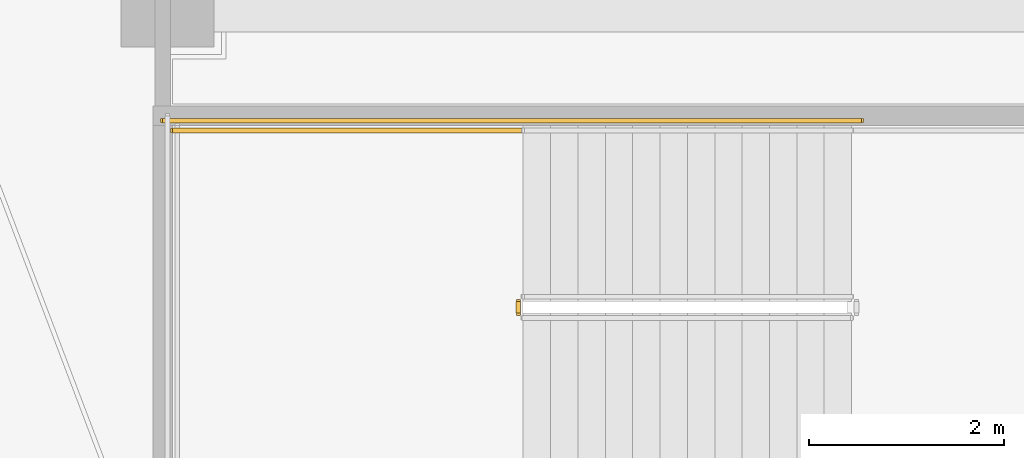
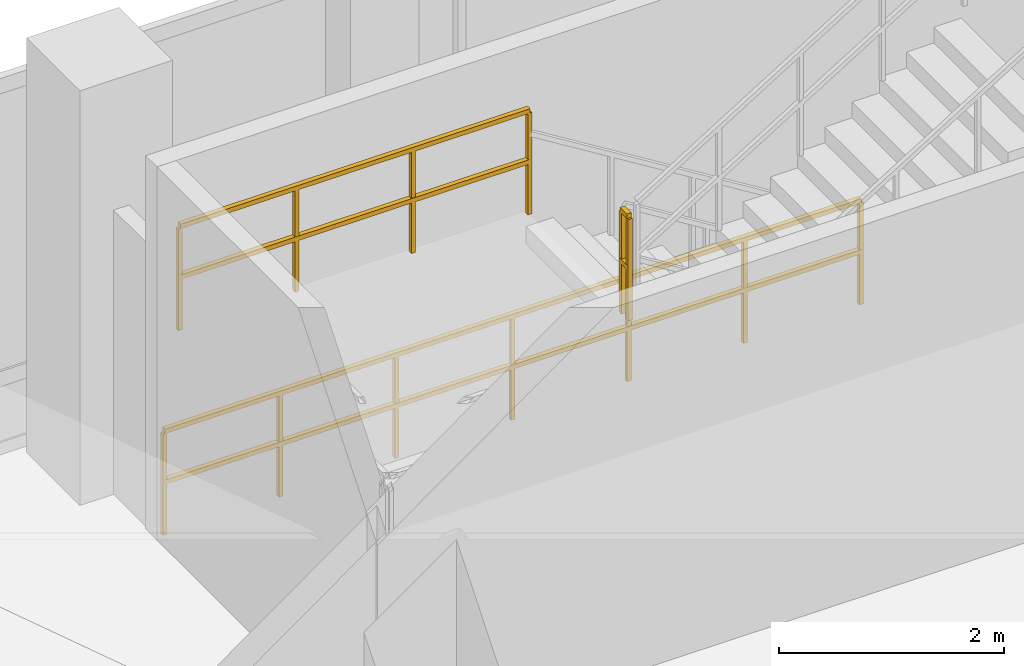
# One storey, part 33 of 36: 3 railings.
"""IFC4 building model written with IfcOpenShell, lengths in metres."""

from ifc_helpers import new_model, si_unit, direction, frame, origin, origin_2d, place, context, subcontext, project, spatial, rectangle, extrude, material, type_object, element, save


model = new_model("IFC4")

# Units and contexts
model_context = context("Model", 3, precision=1e-05, world=origin(), true_north=direction((-0.2419218956, 0.970295726276)))
body_context = subcontext(model_context, "Body", "Model", "MODEL_VIEW")
ifc_project = project(units=[si_unit("LENGTHUNIT", "METRE"), si_unit("AREAUNIT", "SQUARE_METRE"), si_unit("VOLUMEUNIT", "CUBIC_METRE"), si_unit("PLANEANGLEUNIT", "RADIAN"), si_unit("MASSUNIT", "GRAM", prefix="KILO")], contexts=[model_context])

# Site, building, storey
site_placement = place(None, origin())
site = spatial("IfcSite", under=ifc_project, at=site_placement, CompositionType="ELEMENT")
building_placement = place(site_placement, origin())
building = spatial("IfcBuilding", under=site, at=building_placement, Name="Cobrevalo Terracotta Tower", CompositionType="ELEMENT")
storey_placement = place(building_placement, frame((0.0, 0.0, 14.39990234375)))
storey = spatial("IfcBuildingStorey", under=building, at=storey_placement, Name="L03", CompositionType="ELEMENT", Elevation=14.39990234375)

# Railings
ifc_material = material(Name="Painted galvanized steel", Category="steel")
railing_type = type_object("IfcRailingType", Name="Stair Well Guard Balustrade 1150", PredefinedType="GUARDRAIL", material=ifc_material)
railing_1_placement = place(storey_placement, frame((61.090087890625, 47.719970703125, 2.25)))
element("IfcRailing", 1, at=railing_1_placement, inside=storey, type_object=railing_type, Name="L03 ST-P2 stair guard 2", PredefinedType="GUARDRAIL", context=body_context, shape_type="SweptSolid", body=[
    extrude(rectangle(XDim=0.048095703125, YDim=0.048095703125, at=origin_2d()), frame((0.0, 0.0, 1.1259765625), z_axis=(0.0, -1.0, 0.0), x_axis=(1.0, 0.0, 0.0)), (0.0, 0.0, 1.0), 0.119873046875),
    extrude(rectangle(XDim=0.048095703125, YDim=0.048095703125, at=origin_2d()), frame((0.0, 0.0, 0.574951171875), z_axis=(0.0, -1.0, 0.0), x_axis=(1.0, 0.0, 0.0)), (0.0, 0.0, 1.0), 0.119873046875),
    extrude(rectangle(XDim=0.0419921875, YDim=0.0419921875, at=origin_2d()), origin(), (0.0, 0.0, 1.0), 1.101806640625),
    extrude(rectangle(XDim=0.0419921875, YDim=0.0419921875, at=origin_2d()), frame((0.0, -0.119873046875, 0.0)), (0.0, 0.0, 1.0), 1.101806640625),
])
railing_2_placement = place(storey_placement, frame((61.139892578125, 49.469970703125, 2.25)))
element("IfcRailing", 2, at=railing_2_placement, inside=storey, type_object=railing_type, Name="L03 ST-P2 stair guard 3", PredefinedType="GUARDRAIL", context=body_context, shape_type="SweptSolid", body=[
    extrude(rectangle(XDim=0.048095703125, YDim=0.048095703125, at=origin_2d()), frame((0.0, 0.0, 1.1259765625), z_axis=(-1.0, 0.0, 0.0), x_axis=(0.0, -1.0, 0.0)), (0.0, 0.0, 1.0), 3.58984375),
    extrude(rectangle(XDim=0.048095703125, YDim=0.048095703125, at=origin_2d()), frame((0.0, 0.0, 0.574951171875), z_axis=(-1.0, 0.0, 0.0), x_axis=(0.0, -1.0, 0.0)), (0.0, 0.0, 1.0), 3.58984375),
    extrude(rectangle(XDim=0.0419921875, YDim=0.0419921875, at=origin_2d()), origin(), (0.0, 0.0, 1.0), 1.101806640625),
    extrude(rectangle(XDim=0.0419921875, YDim=0.0419921875, at=origin_2d()), frame((-1.196533203125, 0.0, 0.0)), (0.0, 0.0, 1.0), 1.101806640625),
    extrude(rectangle(XDim=0.0419921875, YDim=0.0419921875, at=origin_2d()), frame((-2.393310546875, 0.0, 0.0)), (0.0, 0.0, 1.0), 1.101806640625),
    extrude(rectangle(XDim=0.0419921875, YDim=0.0419921875, at=origin_2d()), frame((-3.58984375, 0.0, 0.0)), (0.0, 0.0, 1.0), 1.101806640625),
])
railing_3_placement = place(storey_placement, frame((64.60009765625, 49.570068359375, 0.0)))
element("IfcRailing", 3, at=railing_3_placement, inside=storey, type_object=railing_type, Name="L03 ST-P2 stair guard 10", PredefinedType="GUARDRAIL", context=body_context, shape_type="SweptSolid", body=[
    extrude(rectangle(XDim=0.048095703125, YDim=0.048095703125, at=origin_2d()), frame((0.0, 0.0, 1.1259765625), z_axis=(-1.0, 0.0, 0.0), x_axis=(0.0, -1.0, 0.0)), (0.0, 0.0, 1.0), 7.150146484375),
    extrude(rectangle(XDim=0.048095703125, YDim=0.048095703125, at=origin_2d()), frame((0.0, 0.0, 0.574951171875), z_axis=(-1.0, 0.0, 0.0), x_axis=(0.0, -1.0, 0.0)), (0.0, 0.0, 1.0), 7.150146484375),
    extrude(rectangle(XDim=0.0419921875, YDim=0.0419921875, at=origin_2d()), origin(), (0.0, 0.0, 1.0), 1.101806640625),
    extrude(rectangle(XDim=0.0419921875, YDim=0.0419921875, at=origin_2d()), frame((-1.191650390625, 0.0, 0.0)), (0.0, 0.0, 1.0), 1.101806640625),
    extrude(rectangle(XDim=0.0419921875, YDim=0.0419921875, at=origin_2d()), frame((-2.38330078125, 0.0, 0.0)), (0.0, 0.0, 1.0), 1.101806640625),
    extrude(rectangle(XDim=0.0419921875, YDim=0.0419921875, at=origin_2d()), frame((-3.5751953125, 0.0, 0.0)), (0.0, 0.0, 1.0), 1.101806640625),
    extrude(rectangle(XDim=0.0419921875, YDim=0.0419921875, at=origin_2d()), frame((-4.766845703125, 0.0, 0.0)), (0.0, 0.0, 1.0), 1.101806640625),
    extrude(rectangle(XDim=0.0419921875, YDim=0.0419921875, at=origin_2d()), frame((-5.95849609375, 0.0, 0.0)), (0.0, 0.0, 1.0), 1.101806640625),
    extrude(rectangle(XDim=0.0419921875, YDim=0.0419921875, at=origin_2d()), frame((-7.150146484375, 0.0, 0.0)), (0.0, 0.0, 1.0), 1.101806640625),
])

save(model, "model.ifc")
